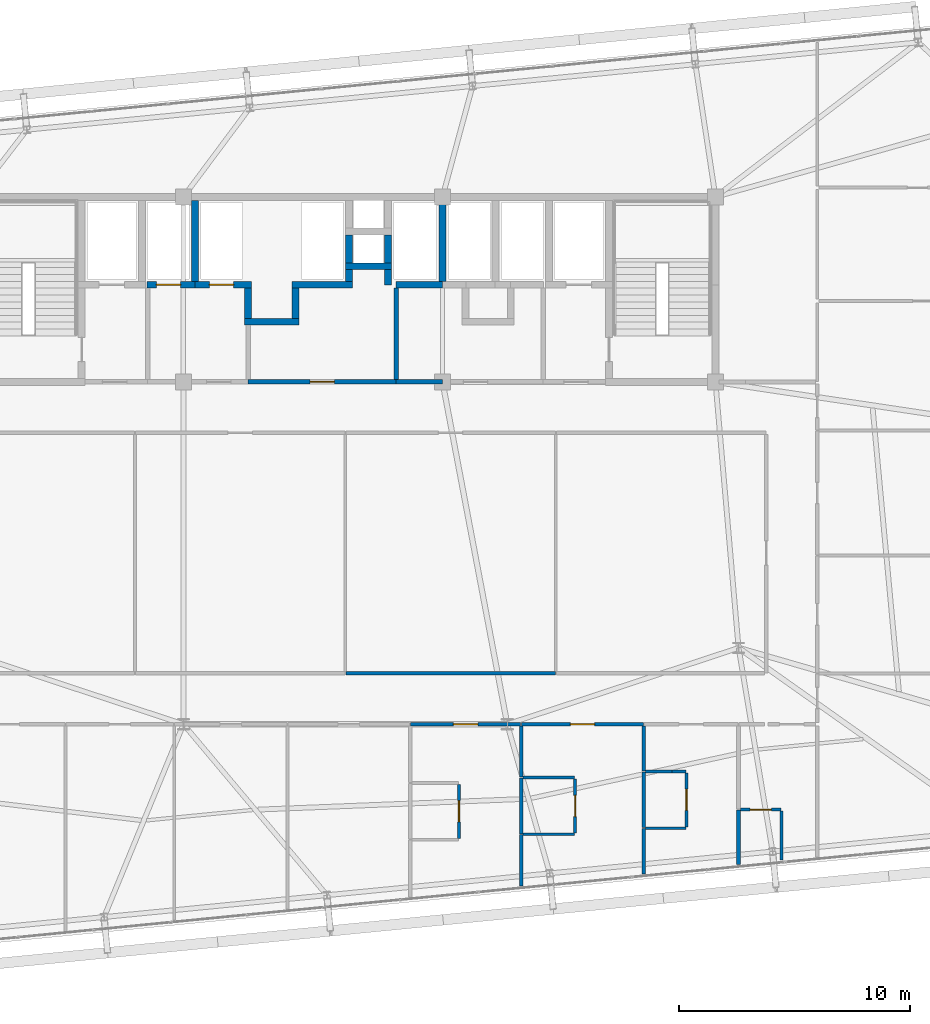
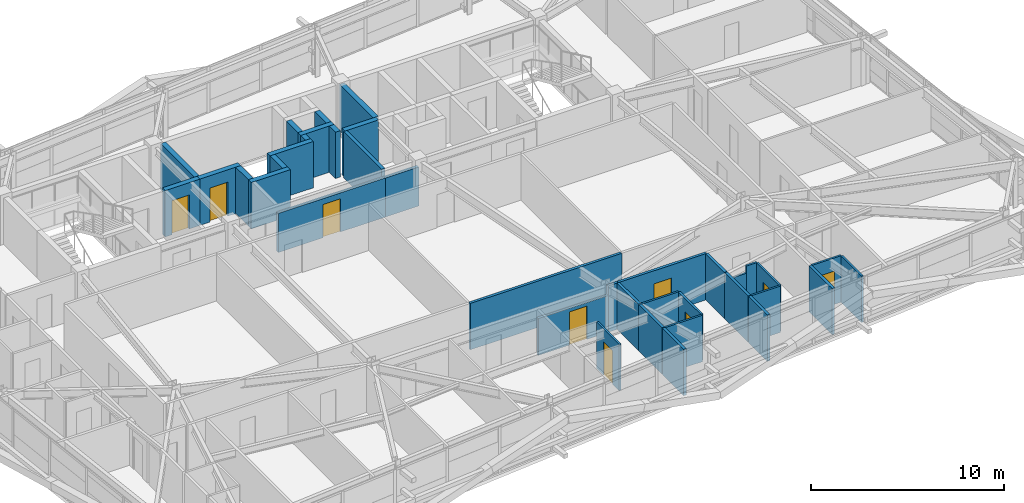
# One storey, part 48 of 53: 38 walls, 9 doors, 9 openings.
"""IFC4 building model written with IfcOpenShell, lengths in metres."""

from ifc_helpers import new_model, si_unit, direction, frame, frame_2d, origin, place, context, subcontext, project, spatial, rectangle, extrude, source, transform, mapped, material, layer, layer_set, type_object, element, fill, save


model = new_model("IFC4")

# Units and contexts
model_context = context("Model", 3, precision=1e-05, world=origin(), true_north=direction((0.0, 1.0)))
body_context = subcontext(model_context, "Body", "Model", "MODEL_VIEW")
ifc_project = project(units=[si_unit("LENGTHUNIT", "METRE"), si_unit("AREAUNIT", "SQUARE_METRE"), si_unit("VOLUMEUNIT", "CUBIC_METRE"), si_unit("PLANEANGLEUNIT", "RADIAN"), si_unit("MASSUNIT", "GRAM", prefix="KILO")], contexts=[model_context])

# Site, building, storey
site_placement = place(None, origin())
site = spatial("IfcSite", under=ifc_project, at=site_placement, CompositionType="ELEMENT")
building_placement = place(site_placement, origin())
building = spatial("IfcBuilding", under=site, at=building_placement, Name="Taldren Reach Tower", CompositionType="ELEMENT")
storey_placement = place(building_placement, frame((0.0, 0.0, 71.39990234375)))
storey = spatial("IfcBuildingStorey", under=building, at=storey_placement, Name="L21", CompositionType="ELEMENT", Elevation=71.39990234375)

# Wall
ifc_material_1 = material(Name="Concrete S50 (50 MPa)", Category="concrete")
ifc_layer_1 = layer(ifc_material_1, 0.199951171875)
ifc_layer_set_1 = layer_set([ifc_layer_1], Name="Concrete S50 (50 MPa)")
wall_type_1 = type_object("IfcWallType", Name="IW-CORE-200", PredefinedType="SOLIDWALL", material=ifc_layer_set_1)
shared_shape_1 = source(origin(), body_context, "Body", "SweptSolid", [
    extrude(rectangle(XDim=2.0, YDim=0.199951171875, at=frame_2d((1.0, 0.0))), origin(), (0.0, 0.0, 1.0), 2.47021484375),
])
wall_1_placement = place(storey_placement, frame((39.199951171875, 24.0, 0.0), z_axis=(0.0, 0.0, 1.0), x_axis=(-1.0, 0.0, 0.0)))
element("IfcWall", 1, at=wall_1_placement, inside=storey, type_object=wall_type_1, Name="Rear Core Shear Wall W-INT-L21-044 part 2", PredefinedType="SOLIDWALL", context=body_context, shape_type="MappedRepresentation", body=[
    mapped(shared_shape_1, transform((0.0, 0.0, 0.0), scale=1.0)),
])

# Wall, opening, door
ifc_material_2 = material(Name="Insulated Residential Stud Partition", Category="gypsum")
ifc_layer_2 = layer(ifc_material_2, 0.1201171875)
ifc_layer_set_2 = layer_set([ifc_layer_2], Name="Insulated Residential Stud Partition")
wall_type_2 = type_object("IfcWallType", Name="IW-PART-120", PredefinedType="PARTITIONING", material=ifc_layer_set_2)
shared_shape_2 = source(origin(), body_context, "Body", "SweptSolid", [
    extrude(rectangle(XDim=2.330078125, YDim=0.1201171875, at=frame_2d((1.1650390625, 0.0))), origin(), (0.0, 0.0, 1.0), 2.93017578125),
])
wall_2_placement = place(storey_placement, frame((39.912109375, 4.26904296875, 0.0), z_axis=(0.0, 0.0, 1.0), x_axis=(0.0, 1.0, 0.0)))
wall_2 = element("IfcWall", 2, at=wall_2_placement, inside=storey, type_object=wall_type_2, Name="Interior Partition Wall W-INT-L21-094", PredefinedType="PARTITIONING", context=body_context, shape_type="MappedRepresentation", body=[
    mapped(shared_shape_2, transform((0.0, 0.0, 0.0), scale=1.0)),
])
shared_shape_3 = source(origin(), body_context, "Body", "SweptSolid", [
    extrude(rectangle(XDim=0.919921875, YDim=2.10009765625, at=frame_2d((0.4599609375, 1.050048828125))), frame((0.0, 0.070068359375, 0.0), z_axis=(0.0, -1.0, 0.0), x_axis=(1.0, 0.0, 0.0)), (0.0, 0.0, 1.0), 0.14013671875),
])
opening_1_placement = place(wall_2_placement, frame((0.705078125, 0.0, 0.0)))
opening_1 = element("IfcOpeningElement", 3, at=opening_1_placement, cuts=wall_2, Name="Opening DI-092", PredefinedType="OPENING", context=body_context, shape_type="MappedRepresentation", body=[
    mapped(shared_shape_3, transform((0.0, 0.0, 0.0), scale=1.0)),
])
ifc_material_3 = material(Name="Solid-Core Timber Suite Door", Category="wood")
door_type_1 = type_object("IfcDoorType", Name="ID-INT-092", OperationType="NOTDEFINED", PredefinedType="DOOR", material=ifc_material_3)
shared_shape_4 = source(origin(), body_context, "Body", "SweptSolid", [
    extrude(rectangle(XDim=0.919921875, YDim=2.10009765625, at=frame_2d((0.4599609375, 1.050048828125))), frame((0.0, 0.02490234375, 0.0), z_axis=(0.0, -1.0, 0.0), x_axis=(1.0, 0.0, 0.0)), (0.0, 0.0, 1.0), 0.050048828125),
])
door_1_placement = place(opening_1_placement, origin())
door_1 = element("IfcDoor", 4, at=door_1_placement, inside=storey, type_object=door_type_1, Name="Interior Door DR-L21-031", OperationType="SINGLE_SWING_RIGHT", OverallHeight=2.10009765625, OverallWidth=0.919921875, PredefinedType="DOOR", context=body_context, shape_type="MappedRepresentation", body=[
    mapped(shared_shape_4, transform((0.0, 0.0, 0.0), scale=1.0)),
])
fill(opening_1, door_1)

wall_3_placement = place(storey_placement, frame((49.75, 4.768310546875, 0.0), z_axis=(0.0, 0.0, 1.0), x_axis=(0.0, 1.0, 0.0)))
wall_3 = element("IfcWall", 5, at=wall_3_placement, inside=storey, type_object=wall_type_2, Name="Interior Partition Wall W-INT-L21-106", PredefinedType="PARTITIONING", context=body_context, shape_type="MappedRepresentation", body=[
    mapped(shared_shape_2, transform((0.0, 0.0, 0.0), scale=1.0)),
])
opening_2_placement = place(wall_3_placement, frame((0.705078125, 0.0, 0.0)))
opening_2 = element("IfcOpeningElement", 6, at=opening_2_placement, cuts=wall_3, Name="Opening DI-092", PredefinedType="OPENING", context=body_context, shape_type="MappedRepresentation", body=[
    mapped(shared_shape_3, transform((0.0, 0.0, 0.0), scale=1.0)),
])
door_2_placement = place(opening_2_placement, origin())
door_2 = element("IfcDoor", 7, at=door_2_placement, inside=storey, type_object=door_type_1, Name="Interior Door DR-L21-033", OperationType="SINGLE_SWING_RIGHT", OverallHeight=2.10009765625, OverallWidth=0.919921875, PredefinedType="DOOR", context=body_context, shape_type="MappedRepresentation", body=[
    mapped(shared_shape_4, transform((0.0, 0.0, 0.0), scale=1.0)),
])
fill(opening_2, door_2)

# Wall
shared_shape_5 = source(origin(), body_context, "Body", "SweptSolid", [
    extrude(rectangle(XDim=1.749755859375, YDim=0.1201171875, at=frame_2d((0.875, 0.0))), origin(), (0.0, 0.0, 1.0), 2.93017578125),
])
wall_4_placement = place(storey_placement, frame((47.97998046875, 4.708251953125, 0.0), z_axis=(0.0, 0.0, 1.0), x_axis=(1.0, 0.0, 0.0)))
element("IfcWall", 8, at=wall_4_placement, inside=storey, type_object=wall_type_2, Name="Interior Partition Wall W-INT-L21-107", PredefinedType="PARTITIONING", context=body_context, shape_type="MappedRepresentation", body=[
    mapped(shared_shape_5, transform((0.0, 0.0, 0.0), scale=1.0)),
])

# Wall, opening, door
wall_5_placement = place(storey_placement, frame((53.829833984375, 5.51025390625, 0.0), z_axis=(0.0, 0.0, 1.0), x_axis=(-1.0, 0.0, 0.0)))
wall_5 = element("IfcWall", 9, at=wall_5_placement, inside=storey, type_object=wall_type_2, Name="Interior Partition Wall W-INT-L21-112", PredefinedType="PARTITIONING", context=body_context, shape_type="MappedRepresentation", body=[
    mapped(shared_shape_5, transform((0.0, 0.0, 0.0), scale=1.0)),
])
opening_3_placement = place(wall_5_placement, frame((0.414794921875, 0.0, 0.0)))
opening_3 = element("IfcOpeningElement", 10, at=opening_3_placement, cuts=wall_5, Name="Opening DI-092", PredefinedType="OPENING", context=body_context, shape_type="MappedRepresentation", body=[
    mapped(shared_shape_3, transform((0.0, 0.0, 0.0), scale=1.0)),
])
door_3_placement = place(opening_3_placement, origin())
door_3 = element("IfcDoor", 11, at=door_3_placement, inside=storey, type_object=door_type_1, Name="Interior Door DR-L21-034", OperationType="SINGLE_SWING_LEFT", OverallHeight=2.10009765625, OverallWidth=0.919921875, PredefinedType="DOOR", context=body_context, shape_type="MappedRepresentation", body=[
    mapped(shared_shape_4, transform((0.0, 0.0, 0.0), scale=1.0)),
])
fill(opening_3, door_3)

# Walls
ifc_material_4 = material(Name="Fire-Rated Acoustic Plasterboard Stud Wall", Category="gypsum")
ifc_layer_3 = layer(ifc_material_4, 0.159912109375)
ifc_layer_set_3 = layer_set([ifc_layer_3], Name="Fire-Rated Acoustic Plasterboard Stud Wall")
wall_type_3 = type_object("IfcWallType", Name="IW-FIRE-160", PredefinedType="PARTITIONING", material=ifc_layer_set_3)
shared_shape_6 = source(origin(), body_context, "Body", "SweptSolid", [
    extrude(rectangle(XDim=2.40966796875, YDim=0.159912109375, at=frame_2d((1.204833984375, 0.0))), origin(), (0.0, 0.0, 1.0), 2.93017578125),
])
wall_6_placement = place(storey_placement, frame((47.89990234375, 7.13818359375, 0.0), z_axis=(0.0, 0.0, 1.0), x_axis=(0.0, -1.0, 0.0)))
element("IfcWall", 12, at=wall_6_placement, inside=storey, type_object=wall_type_3, Name="Interior Partition Wall W-INT-L21-105", PredefinedType="PARTITIONING", context=body_context, shape_type="MappedRepresentation", body=[
    mapped(shared_shape_6, transform((0.0, 0.0, 0.0), scale=1.0)),
])
ifc_material_5 = material(Name="Concrete S65 (65 MPa)", Category="concrete")
ifc_layer_4 = layer(ifc_material_5, 0.300048828125)
ifc_layer_set_4 = layer_set([ifc_layer_4], Name="Concrete S65 (65 MPa)")
wall_type_4 = type_object("IfcWallType", Name="IW-CORE-300", PredefinedType="SHEAR", material=ifc_layer_set_4)
shared_shape_7 = source(origin(), body_context, "Body", "SweptSolid", [
    extrude(rectangle(XDim=3.5, YDim=0.300048828125, at=frame_2d((1.75, 0.0))), origin(), (0.0, 0.0, 1.0), 2.93017578125),
])
for number, where, z_axis, x_axis, name in (
    (13, (28.5, 28.35009765625, 0.0), (0.0, 0.0, 1.0), (0.0, 1.0, 0.0), "Rear Core Shear Wall W-INT-L21-029"),
    (14, (39.199951171875, 28.35009765625, 0.0), (0.0, 0.0, 1.0), (0.0, 1.0, 0.0), "Rear Core Shear Wall W-INT-L21-036"),
):
    element("IfcWall", number, at=place(storey_placement, frame(where, z_axis=z_axis, x_axis=x_axis)), inside=storey, type_object=wall_type_4, Name=name, PredefinedType="SHEAR", context=body_context, shape_type="MappedRepresentation", body=[
        mapped(shared_shape_7, transform((0.0, 0.0, 0.0), scale=1.0)),
    ])
shared_shape_8 = source(origin(), body_context, "Body", "SweptSolid", [
    extrude(rectangle(XDim=3.949951171875, YDim=0.199951171875, at=frame_2d((1.97509765625, 0.0))), origin(), (0.0, 0.0, 1.0), 2.93017578125),
])
wall_7_placement = place(storey_placement, frame((37.199951171875, 28.050048828125, 0.0), z_axis=(0.0, 0.0, 1.0), x_axis=(0.0, -1.0, 0.0)))
element("IfcWall", 15, at=wall_7_placement, inside=storey, type_object=wall_type_1, Name="Rear Core Shear Wall W-INT-L21-042", PredefinedType="SOLIDWALL", context=body_context, shape_type="MappedRepresentation", body=[
    mapped(shared_shape_8, transform((0.0, 0.0, 0.0), scale=1.0)),
])
shared_shape_9 = source(origin(), body_context, "Body", "SweptSolid", [
    extrude(rectangle(XDim=2.0, YDim=0.300048828125, at=frame_2d((1.0, 0.0))), origin(), (0.0, 0.0, 1.0), 2.93017578125),
])
wall_8_placement = place(storey_placement, frame((35.0, 29.0, 0.0), z_axis=(0.0, 0.0, 1.0), x_axis=(1.0, 0.0, 0.0)))
element("IfcWall", 16, at=wall_8_placement, inside=storey, type_object=wall_type_4, Name="Rear Core Shear Wall W-INT-L21-020", PredefinedType="SHEAR", context=body_context, shape_type="MappedRepresentation", body=[
    mapped(shared_shape_9, transform((0.0, 0.0, 0.0), scale=1.0)),
])
shared_shape_10 = source(origin(), body_context, "Body", "SweptSolid", [
    extrude(rectangle(XDim=1.2001953125, YDim=0.300048828125, at=frame_2d((0.60009765625, 0.0))), origin(), (0.0, 0.0, 1.0), 2.93017578125),
])
for number, where, z_axis, x_axis, name in (
    (17, (35.14990234375, 30.35009765625, 0.0), (0.0, 0.0, 1.0), (0.0, -1.0, 0.0), "Rear Core Shear Wall W-INT-L21-018"),
    (18, (36.85009765625, 29.14990234375, 0.0), (0.0, 0.0, 1.0), (0.0, 1.0, 0.0), "Rear Core Shear Wall W-INT-L21-019"),
):
    element("IfcWall", number, at=place(storey_placement, frame(where, z_axis=z_axis, x_axis=x_axis)), inside=storey, type_object=wall_type_4, Name=name, PredefinedType="SHEAR", context=body_context, shape_type="MappedRepresentation", body=[
        mapped(shared_shape_10, transform((0.0, 0.0, 0.0), scale=1.0)),
    ])
shared_shape_11 = source(origin(), body_context, "Body", "SweptSolid", [
    extrude(rectangle(XDim=1.300048828125, YDim=0.300048828125, at=frame_2d((0.64990234375, 0.0))), origin(), (0.0, 0.0, 1.0), 2.93017578125),
])
for number, where, z_axis, x_axis, name in (
    (19, (30.800048828125, 28.050048828125, 0.0), (0.0, 0.0, 1.0), (0.0, -1.0, 0.0), "Rear Core Shear Wall W-INT-L21-021"),
    (20, (32.85009765625, 26.75, 0.0), (0.0, 0.0, 1.0), (0.0, 1.0, 0.0), "Rear Core Shear Wall W-INT-L21-023"),
):
    element("IfcWall", number, at=place(storey_placement, frame(where, z_axis=z_axis, x_axis=x_axis)), inside=storey, type_object=wall_type_4, Name=name, PredefinedType="SHEAR", context=body_context, shape_type="MappedRepresentation", body=[
        mapped(shared_shape_11, transform((0.0, 0.0, 0.0), scale=1.0)),
    ])
shared_shape_12 = source(origin(), body_context, "Body", "SweptSolid", [
    extrude(rectangle(XDim=2.35009765625, YDim=0.300048828125, at=frame_2d((1.175048828125, 0.0))), origin(), (0.0, 0.0, 1.0), 2.93017578125),
])
wall_9_placement = place(storey_placement, frame((30.64990234375, 26.60009765625, 0.0), z_axis=(0.0, 0.0, 1.0), x_axis=(1.0, 0.0, 0.0)))
element("IfcWall", 21, at=wall_9_placement, inside=storey, type_object=wall_type_4, Name="Rear Core Shear Wall W-INT-L21-022", PredefinedType="SHEAR", context=body_context, shape_type="MappedRepresentation", body=[
    mapped(shared_shape_12, transform((0.0, 0.0, 0.0), scale=1.0)),
])

# Wall, opening, door
shared_shape_13 = source(origin(), body_context, "Body", "SweptSolid", [
    extrude(rectangle(XDim=2.070068359375, YDim=0.300048828125, at=frame_2d((1.03515625, 0.0))), origin(), (0.0, 0.0, 1.0), 2.93017578125),
])
wall_10_placement = place(storey_placement, frame((26.429931640625, 28.199951171875, 0.0), z_axis=(0.0, 0.0, 1.0), x_axis=(1.0, 0.0, 0.0)))
wall_10 = element("IfcWall", 22, at=wall_10_placement, inside=storey, type_object=wall_type_4, Name="Rear Core Shear Wall W-INT-L21-030", PredefinedType="SHEAR", context=body_context, shape_type="MappedRepresentation", body=[
    mapped(shared_shape_13, transform((0.0, 0.0, 0.0), scale=1.0)),
])
shared_shape_14 = source(origin(), body_context, "Body", "SweptSolid", [
    extrude(rectangle(XDim=1.050048828125, YDim=2.14990234375, at=frame_2d((0.52490234375, 1.074951171875))), frame((0.0, 0.16015625, 0.0), z_axis=(0.0, -1.0, 0.0), x_axis=(1.0, 0.0, 0.0)), (0.0, 0.0, 1.0), 0.320068359375),
])
opening_4_placement = place(wall_10_placement, frame((0.39501953125, 0.0, 0.0)))
opening_4 = element("IfcOpeningElement", 23, at=opening_4_placement, cuts=wall_10, Name="Opening LD-PL1", PredefinedType="OPENING", context=body_context, shape_type="MappedRepresentation", body=[
    mapped(shared_shape_14, transform((0.0, 0.0, 0.0), scale=1.0)),
])
ifc_material_6 = material(Name="Stainless Steel Gr 316 Passenger Lift Landing Door", Category="steel")
door_type_2 = type_object("IfcDoorType", Name="LD-PAS-105", OperationType="SLIDING_TO_LEFT", PredefinedType="DOOR", material=ifc_material_6)
shared_shape_15 = source(origin(), body_context, "Body", "SweptSolid", [
    extrude(rectangle(XDim=1.050048828125, YDim=2.14990234375, at=frame_2d((0.52490234375, 1.074951171875))), frame((0.0, 0.02490234375, 0.0), z_axis=(0.0, -1.0, 0.0), x_axis=(1.0, 0.0, 0.0)), (0.0, 0.0, 1.0), 0.050048828125),
])
door_4_placement = place(opening_4_placement, origin())
door_4 = element("IfcDoor", 24, at=door_4_placement, inside=storey, type_object=door_type_2, Name="Lift Landing Door LD-PL1-L21", OperationType="SLIDING_TO_LEFT", OverallHeight=2.14990234375, OverallWidth=1.050048828125, PredefinedType="DOOR", context=body_context, shape_type="MappedRepresentation", body=[
    mapped(shared_shape_15, transform((0.0, 0.0, 0.0), scale=1.0)),
])
fill(opening_4, door_4)

shared_shape_16 = source(origin(), body_context, "Body", "SweptSolid", [
    extrude(rectangle(XDim=2.449951171875, YDim=0.300048828125, at=frame_2d((1.22509765625, 0.0))), origin(), (0.0, 0.0, 1.0), 2.93017578125),
])
wall_11_placement = place(storey_placement, frame((28.5, 28.199951171875, 0.0), z_axis=(0.0, 0.0, 1.0), x_axis=(1.0, 0.0, 0.0)))
wall_11 = element("IfcWall", 25, at=wall_11_placement, inside=storey, type_object=wall_type_4, Name="Rear Core Shear Wall W-INT-L21-031", PredefinedType="SHEAR", context=body_context, shape_type="MappedRepresentation", body=[
    mapped(shared_shape_16, transform((0.0, 0.0, 0.0), scale=1.0)),
])
opening_5_placement = place(wall_11_placement, frame((0.625, 0.0, 0.0)))
opening_5 = element("IfcOpeningElement", 26, at=opening_5_placement, cuts=wall_11, Name="Opening LD-PL2", PredefinedType="OPENING", context=body_context, shape_type="MappedRepresentation", body=[
    mapped(shared_shape_14, transform((0.0, 0.0, 0.0), scale=1.0)),
])
door_5_placement = place(opening_5_placement, origin())
door_5 = element("IfcDoor", 27, at=door_5_placement, inside=storey, type_object=door_type_2, Name="Lift Landing Door LD-PL2-L21", OperationType="SLIDING_TO_LEFT", OverallHeight=2.14990234375, OverallWidth=1.050048828125, PredefinedType="DOOR", context=body_context, shape_type="MappedRepresentation", body=[
    mapped(shared_shape_15, transform((0.0, 0.0, 0.0), scale=1.0)),
])
fill(opening_5, door_5)

# Walls
shared_shape_17 = source(origin(), body_context, "Body", "SweptSolid", [
    extrude(rectangle(XDim=2.60009765625, YDim=0.300048828125, at=frame_2d((1.300048828125, 0.0))), origin(), (0.0, 0.0, 1.0), 2.93017578125),
])
wall_12_placement = place(storey_placement, frame((32.699951171875, 28.199951171875, 0.0), z_axis=(0.0, 0.0, 1.0), x_axis=(1.0, 0.0, 0.0)))
element("IfcWall", 28, at=wall_12_placement, inside=storey, type_object=wall_type_4, Name="Rear Core Shear Wall W-INT-L21-034", PredefinedType="SHEAR", context=body_context, shape_type="MappedRepresentation", body=[
    mapped(shared_shape_17, transform((0.0, 0.0, 0.0), scale=1.0)),
])
shared_shape_18 = source(origin(), body_context, "Body", "SweptSolid", [
    extrude(rectangle(XDim=0.5, YDim=0.300048828125, at=frame_2d((0.25, 0.0))), origin(), (0.0, 0.0, 1.0), 2.93017578125),
])
wall_13_placement = place(storey_placement, frame((35.14990234375, 28.35009765625, 0.0), z_axis=(0.0, 0.0, 1.0), x_axis=(0.0, 1.0, 0.0)))
element("IfcWall", 29, at=wall_13_placement, inside=storey, type_object=wall_type_4, Name="Rear Core Shear Wall W-INT-L21-035", PredefinedType="SHEAR", context=body_context, shape_type="MappedRepresentation", body=[
    mapped(shared_shape_18, transform((0.0, 0.0, 0.0), scale=1.0)),
])
shared_shape_19 = source(origin(), body_context, "Body", "SweptSolid", [
    extrude(rectangle(XDim=0.650146484375, YDim=0.300048828125, at=frame_2d((0.3251953125, 0.0))), origin(), (0.0, 0.0, 1.0), 2.93017578125),
])
wall_14_placement = place(storey_placement, frame((36.85009765625, 28.85009765625, 0.0), z_axis=(0.0, 0.0, 1.0), x_axis=(0.0, -1.0, 0.0)))
element("IfcWall", 30, at=wall_14_placement, inside=storey, type_object=wall_type_4, Name="Rear Core Shear Wall W-INT-L21-037", PredefinedType="SHEAR", context=body_context, shape_type="MappedRepresentation", body=[
    mapped(shared_shape_19, transform((0.0, 0.0, 0.0), scale=1.0)),
])
shared_shape_20 = source(origin(), body_context, "Body", "SweptSolid", [
    extrude(rectangle(XDim=2.02001953125, YDim=0.300048828125, at=frame_2d((1.010009765625, 0.0))), origin(), (0.0, 0.0, 1.0), 2.93017578125),
])
wall_15_placement = place(storey_placement, frame((37.179931640625, 28.199951171875, 0.0), z_axis=(0.0, 0.0, 1.0), x_axis=(1.0, 0.0, 0.0)))
element("IfcWall", 31, at=wall_15_placement, inside=storey, type_object=wall_type_4, Name="Rear Core Shear Wall W-INT-L21-038", PredefinedType="SHEAR", context=body_context, shape_type="MappedRepresentation", body=[
    mapped(shared_shape_20, transform((0.0, 0.0, 0.0), scale=1.0)),
])

# Wall, opening, door
shared_shape_21 = source(origin(), body_context, "Body", "SweptSolid", [
    extrude(rectangle(XDim=6.39990234375, YDim=0.199951171875, at=frame_2d((3.199951171875, 0.0))), origin(), (0.0, 0.0, 1.0), 2.47021484375),
])
wall_16_placement = place(storey_placement, frame((37.199951171875, 24.0, 0.0), z_axis=(0.0, 0.0, 1.0), x_axis=(-1.0, 0.0, 0.0)))
wall_16 = element("IfcWall", 32, at=wall_16_placement, inside=storey, type_object=wall_type_1, Name="Rear Core Shear Wall W-INT-L21-043", PredefinedType="SOLIDWALL", context=body_context, shape_type="MappedRepresentation", body=[
    mapped(shared_shape_21, transform((0.0, 0.0, 0.0), scale=1.0)),
])
shared_shape_22 = source(origin(), body_context, "Body", "SweptSolid", [
    extrude(rectangle(XDim=1.050048828125, YDim=2.10009765625, at=frame_2d((0.52490234375, 1.050048828125))), frame((0.0, 0.10986328125, 0.0), z_axis=(0.0, -1.0, 0.0), x_axis=(1.0, 0.0, 0.0)), (0.0, 0.0, 1.0), 0.219970703125),
])
opening_6_placement = place(wall_16_placement, frame((2.675048828125, 0.0, 0.0)))
opening_6 = element("IfcOpeningElement", 33, at=opening_6_placement, cuts=wall_16, Name="Opening DF-105", PredefinedType="OPENING", context=body_context, shape_type="MappedRepresentation", body=[
    mapped(shared_shape_22, transform((0.0, 0.0, 0.0), scale=1.0)),
])
ifc_material_7 = material(Name="Fire-Rated Care and Stair Exit Door")
door_type_3 = type_object("IfcDoorType", Name="ID-FIRE-105", OperationType="NOTDEFINED", PredefinedType="DOOR", material=ifc_material_7)
shared_shape_23 = source(origin(), body_context, "Body", "SweptSolid", [
    extrude(rectangle(XDim=1.050048828125, YDim=2.10009765625, at=frame_2d((0.52490234375, 1.050048828125))), frame((0.0, 0.02490234375, 0.0), z_axis=(0.0, -1.0, 0.0), x_axis=(1.0, 0.0, 0.0)), (0.0, 0.0, 1.0), 0.050048828125),
])
door_6_placement = place(opening_6_placement, frame((1.050048828125, 0.0, 0.0), z_axis=(0.0, 0.0, 1.0), x_axis=(-1.0, 0.0, 0.0)))
door_6 = element("IfcDoor", 34, at=door_6_placement, inside=storey, type_object=door_type_3, Name="Interior Door DR-L21-006", OperationType="SINGLE_SWING_RIGHT", OverallHeight=2.10009765625, OverallWidth=1.050048828125, PredefinedType="DOOR", context=body_context, shape_type="MappedRepresentation", body=[
    mapped(shared_shape_23, transform((0.0, 0.0, 0.0), scale=1.0)),
])
fill(opening_6, door_6)

# Walls
shared_shape_24 = source(origin(), body_context, "Body", "SweptSolid", [
    extrude(rectangle(XDim=9.0595703125, YDim=0.159912109375, at=frame_2d((4.52978515625, 0.0))), origin(), (0.0, 0.0, 1.0), 2.93017578125),
])
wall_17_placement = place(storey_placement, frame((35.020263671875, 11.39990234375, 0.0), z_axis=(0.0, 0.0, 1.0), x_axis=(1.0, 0.0, 0.0)))
element("IfcWall", 35, at=wall_17_placement, inside=storey, type_object=wall_type_3, Name="Interior Partition Wall W-INT-L21-067", PredefinedType="PARTITIONING", context=body_context, shape_type="MappedRepresentation", body=[
    mapped(shared_shape_24, transform((0.0, 0.0, 0.0), scale=1.0)),
])
shared_shape_25 = source(origin(), body_context, "Body", "SweptSolid", [
    extrude(rectangle(XDim=0.57958984375, YDim=0.159912109375, at=frame_2d((0.289794921875, 0.0))), origin(), (0.0, 0.0, 1.0), 2.93017578125),
])
wall_18_placement = place(storey_placement, frame((42.57958984375, 9.199951171875, 0.0), z_axis=(0.0, 0.0, 1.0), x_axis=(-1.0, 0.0, 0.0)))
element("IfcWall", 36, at=wall_18_placement, inside=storey, type_object=wall_type_3, Name="Interior Partition Wall W-INT-L21-074", PredefinedType="PARTITIONING", context=body_context, shape_type="MappedRepresentation", body=[
    mapped(shared_shape_25, transform((0.0, 0.0, 0.0), scale=1.0)),
])

# Wall, opening, door
shared_shape_26 = source(origin(), body_context, "Body", "SweptSolid", [
    extrude(rectangle(XDim=4.1796875, YDim=0.159912109375, at=frame_2d((2.08984375, 0.0))), origin(), (0.0, 0.0, 1.0), 2.328125),
])
wall_19_placement = place(storey_placement, frame((42.0, 9.199951171875, 0.0), z_axis=(0.0, 0.0, 1.0), x_axis=(-1.0, 0.0, 0.0)))
wall_19 = element("IfcWall", 37, at=wall_19_placement, inside=storey, type_object=wall_type_3, Name="Interior Partition Wall W-INT-L21-074 part 2", PredefinedType="PARTITIONING", context=body_context, shape_type="MappedRepresentation", body=[
    mapped(shared_shape_26, transform((0.0, 0.0, 0.0), scale=1.0)),
])
shared_shape_27 = source(origin(), body_context, "Body", "SweptSolid", [
    extrude(rectangle(XDim=1.050048828125, YDim=2.10009765625, at=frame_2d((0.52490234375, 1.050048828125))), frame((0.0, 0.08984375, 0.0), z_axis=(0.0, -1.0, 0.0), x_axis=(1.0, 0.0, 0.0)), (0.0, 0.0, 1.0), 0.179931640625),
])
opening_7_placement = place(wall_19_placement, frame((1.27490234375, 0.0, 0.0)))
opening_7 = element("IfcOpeningElement", 38, at=opening_7_placement, cuts=wall_19, Name="Opening DF-105", PredefinedType="OPENING", context=body_context, shape_type="MappedRepresentation", body=[
    mapped(shared_shape_27, transform((0.0, 0.0, 0.0), scale=1.0)),
])
door_7_placement = place(opening_7_placement, origin())
door_7 = element("IfcDoor", 39, at=door_7_placement, inside=storey, type_object=door_type_3, Name="Interior Door DR-L21-027", OperationType="SINGLE_SWING_RIGHT", OverallHeight=2.10009765625, OverallWidth=1.050048828125, PredefinedType="DOOR", context=body_context, shape_type="MappedRepresentation", body=[
    mapped(shared_shape_23, transform((0.0, 0.0, 0.0), scale=1.0)),
])
fill(opening_7, door_7)

shared_shape_28 = source(origin(), body_context, "Body", "SweptSolid", [
    extrude(rectangle(XDim=5.25927734375, YDim=0.159912109375, at=frame_2d((2.629638671875, 0.0))), origin(), (0.0, 0.0, 1.0), 2.93017578125),
])
wall_20_placement = place(storey_placement, frame((47.879638671875, 9.199951171875, 0.0), z_axis=(0.0, 0.0, 1.0), x_axis=(-1.0, 0.0, 0.0)))
wall_20 = element("IfcWall", 40, at=wall_20_placement, inside=storey, type_object=wall_type_3, Name="Interior Partition Wall W-INT-L21-075", PredefinedType="PARTITIONING", context=body_context, shape_type="MappedRepresentation", body=[
    mapped(shared_shape_28, transform((0.0, 0.0, 0.0), scale=1.0)),
])
opening_8_placement = place(wall_20_placement, frame((2.104736328125, 0.0, 0.0)))
opening_8 = element("IfcOpeningElement", 41, at=opening_8_placement, cuts=wall_20, Name="Opening DF-105", PredefinedType="OPENING", context=body_context, shape_type="MappedRepresentation", body=[
    mapped(shared_shape_27, transform((0.0, 0.0, 0.0), scale=1.0)),
])
door_8_placement = place(opening_8_placement, origin())
door_8 = element("IfcDoor", 42, at=door_8_placement, inside=storey, type_object=door_type_3, Name="Interior Door DR-L21-028", OperationType="SINGLE_SWING_LEFT", OverallHeight=2.10009765625, OverallWidth=1.050048828125, PredefinedType="DOOR", context=body_context, shape_type="MappedRepresentation", body=[
    mapped(shared_shape_23, transform((0.0, 0.0, 0.0), scale=1.0)),
])
fill(opening_8, door_8)

# Walls
shared_shape_29 = source(origin(), body_context, "Body", "SweptSolid", [
    extrude(rectangle(XDim=2.21923828125, YDim=0.159912109375, at=frame_2d((1.109619140625, 0.0))), origin(), (0.0, 0.0, 1.0), 2.93017578125),
])
wall_21_placement = place(storey_placement, frame((42.60009765625, 4.424072265625, 0.0), z_axis=(0.0, 0.0, 1.0), x_axis=(0.0, -1.0, 0.0)))
element("IfcWall", 43, at=wall_21_placement, inside=storey, type_object=wall_type_3, Name="Interior Partition Wall W-INT-L21-097", PredefinedType="PARTITIONING", context=body_context, shape_type="MappedRepresentation", body=[
    mapped(shared_shape_29, transform((0.0, 0.0, 0.0), scale=1.0)),
])
shared_shape_30 = source(origin(), body_context, "Body", "SweptSolid", [
    extrude(rectangle(XDim=2.203369140625, YDim=0.159912109375, at=frame_2d((1.1015625, 0.0))), origin(), (0.0, 0.0, 1.0), 2.93017578125),
])
wall_22_placement = place(storey_placement, frame((42.60009765625, 9.117919921875, 0.0), z_axis=(0.0, 0.0, 1.0), x_axis=(0.0, -1.0, 0.0)))
element("IfcWall", 44, at=wall_22_placement, inside=storey, type_object=wall_type_3, Name="Interior Partition Wall W-INT-L21-098", PredefinedType="PARTITIONING", context=body_context, shape_type="MappedRepresentation", body=[
    mapped(shared_shape_30, transform((0.0, 0.0, 0.0), scale=1.0)),
])
shared_shape_31 = source(origin(), body_context, "Body", "SweptSolid", [
    extrude(rectangle(XDim=2.409423828125, YDim=0.159912109375, at=frame_2d((1.20458984375, 0.0))), origin(), (0.0, 0.0, 1.0), 2.93017578125),
])
wall_23_placement = place(storey_placement, frame((42.60009765625, 6.8740234375, 0.0), z_axis=(0.0, 0.0, 1.0), x_axis=(0.0, -1.0, 0.0)))
element("IfcWall", 45, at=wall_23_placement, inside=storey, type_object=wall_type_3, Name="Interior Partition Wall W-INT-L21-099", PredefinedType="PARTITIONING", context=body_context, shape_type="MappedRepresentation", body=[
    mapped(shared_shape_31, transform((0.0, 0.0, 0.0), scale=1.0)),
])

# Wall, opening, door
shared_shape_32 = source(origin(), body_context, "Body", "SweptSolid", [
    extrude(rectangle(XDim=2.329833984375, YDim=0.1201171875, at=frame_2d((1.1650390625, 0.0))), origin(), (0.0, 0.0, 1.0), 2.93017578125),
])
wall_24_placement = place(storey_placement, frame((44.931884765625, 4.50439453125, 0.0), z_axis=(0.0, 0.0, 1.0), x_axis=(0.0, 1.0, 0.0)))
wall_24 = element("IfcWall", 46, at=wall_24_placement, inside=storey, type_object=wall_type_2, Name="Interior Partition Wall W-INT-L21-100", PredefinedType="PARTITIONING", context=body_context, shape_type="MappedRepresentation", body=[
    mapped(shared_shape_32, transform((0.0, 0.0, 0.0), scale=1.0)),
])
opening_9_placement = place(wall_24_placement, frame((0.705078125, 0.0, 0.0)))
opening_9 = element("IfcOpeningElement", 47, at=opening_9_placement, cuts=wall_24, Name="Opening DI-092", PredefinedType="OPENING", context=body_context, shape_type="MappedRepresentation", body=[
    mapped(shared_shape_3, transform((0.0, 0.0, 0.0), scale=1.0)),
])
door_9_placement = place(opening_9_placement, origin())
door_9 = element("IfcDoor", 48, at=door_9_placement, inside=storey, type_object=door_type_1, Name="Interior Door DR-L21-032", OperationType="SINGLE_SWING_LEFT", OverallHeight=2.10009765625, OverallWidth=0.919921875, PredefinedType="DOOR", context=body_context, shape_type="MappedRepresentation", body=[
    mapped(shared_shape_4, transform((0.0, 0.0, 0.0), scale=1.0)),
])
fill(opening_9, door_9)

# Walls
shared_shape_33 = source(origin(), body_context, "Body", "SweptSolid", [
    extrude(rectangle(XDim=2.23193359375, YDim=0.1201171875, at=frame_2d((1.115966796875, 0.0))), origin(), (0.0, 0.0, 1.0), 2.93017578125),
])
for number, where, z_axis, x_axis, name in (
    (49, (42.679931640625, 4.4443359375, 0.0), (0.0, 0.0, 1.0), (1.0, 0.0, 0.0), "Interior Partition Wall W-INT-L21-101"),
    (50, (44.911865234375, 6.894287109375, 0.0), (0.0, 0.0, 1.0), (-1.0, 0.0, 0.0), "Interior Partition Wall W-INT-L21-102"),
):
    element("IfcWall", number, at=place(storey_placement, frame(where, z_axis=z_axis, x_axis=x_axis)), inside=storey, type_object=wall_type_2, Name=name, PredefinedType="PARTITIONING", context=body_context, shape_type="MappedRepresentation", body=[
        mapped(shared_shape_33, transform((0.0, 0.0, 0.0), scale=1.0)),
    ])
shared_shape_34 = source(origin(), body_context, "Body", "SweptSolid", [
    extrude(rectangle(XDim=1.96337890625, YDim=0.159912109375, at=frame_2d((0.981689453125, 0.0))), origin(), (0.0, 0.0, 1.0), 2.93017578125),
])
wall_25_placement = place(storey_placement, frame((47.89990234375, 4.68798828125, 0.0), z_axis=(0.0, 0.0, 1.0), x_axis=(0.0, -1.0, 0.0)))
element("IfcWall", 51, at=wall_25_placement, inside=storey, type_object=wall_type_3, Name="Interior Partition Wall W-INT-L21-103", PredefinedType="PARTITIONING", context=body_context, shape_type="MappedRepresentation", body=[
    mapped(shared_shape_34, transform((0.0, 0.0, 0.0), scale=1.0)),
])
shared_shape_35 = source(origin(), body_context, "Body", "SweptSolid", [
    extrude(rectangle(XDim=1.939453125, YDim=0.159912109375, at=frame_2d((0.9697265625, 0.0))), origin(), (0.0, 0.0, 1.0), 2.93017578125),
])
wall_26_placement = place(storey_placement, frame((47.89990234375, 9.117919921875, 0.0), z_axis=(0.0, 0.0, 1.0), x_axis=(0.0, -1.0, 0.0)))
element("IfcWall", 52, at=wall_26_placement, inside=storey, type_object=wall_type_3, Name="Interior Partition Wall W-INT-L21-104", PredefinedType="PARTITIONING", context=body_context, shape_type="MappedRepresentation", body=[
    mapped(shared_shape_35, transform((0.0, 0.0, 0.0), scale=1.0)),
])
shared_shape_36 = source(origin(), body_context, "Body", "SweptSolid", [
    extrude(rectangle(XDim=0.6181640625, YDim=0.1201171875, at=frame_2d((0.30908203125, 0.0))), origin(), (0.0, 0.0, 1.0), 2.93017578125),
])
wall_27_placement = place(storey_placement, frame((49.729736328125, 7.158203125, 0.0), z_axis=(0.0, 0.0, 1.0), x_axis=(-1.0, 0.0, 0.0)))
element("IfcWall", 53, at=wall_27_placement, inside=storey, type_object=wall_type_2, Name="Interior Partition Wall W-INT-L21-108", PredefinedType="PARTITIONING", context=body_context, shape_type="MappedRepresentation", body=[
    mapped(shared_shape_36, transform((0.0, 0.0, 0.0), scale=1.0)),
])
shared_shape_37 = source(origin(), body_context, "Body", "SweptSolid", [
    extrude(rectangle(XDim=1.131591796875, YDim=0.1201171875, at=frame_2d((0.56591796875, 0.0))), origin(), (0.0, 0.0, 1.0), 2.47021484375),
])
wall_28_placement = place(storey_placement, frame((49.111572265625, 7.158203125, 0.0), z_axis=(0.0, 0.0, 1.0), x_axis=(-1.0, 0.0, 0.0)))
element("IfcWall", 54, at=wall_28_placement, inside=storey, type_object=wall_type_2, Name="Interior Partition Wall W-INT-L21-108 part 2", PredefinedType="PARTITIONING", context=body_context, shape_type="MappedRepresentation", body=[
    mapped(shared_shape_37, transform((0.0, 0.0, 0.0), scale=1.0)),
])
shared_shape_38 = source(origin(), body_context, "Body", "SweptSolid", [
    extrude(rectangle(XDim=2.363525390625, YDim=0.159912109375, at=frame_2d((1.181640625, 0.0))), origin(), (0.0, 0.0, 1.0), 2.93017578125),
])
wall_29_placement = place(storey_placement, frame((52.0, 5.489990234375, 0.0), z_axis=(0.0, 0.0, 1.0), x_axis=(0.0, -1.0, 0.0)))
element("IfcWall", 55, at=wall_29_placement, inside=storey, type_object=wall_type_3, Name="Interior Partition Wall W-INT-L21-110", PredefinedType="PARTITIONING", context=body_context, shape_type="MappedRepresentation", body=[
    mapped(shared_shape_38, transform((0.0, 0.0, 0.0), scale=1.0)),
])
shared_shape_39 = source(origin(), body_context, "Body", "SweptSolid", [
    extrude(rectangle(XDim=2.12841796875, YDim=0.1201171875, at=frame_2d((1.064208984375, 0.0))), origin(), (0.0, 0.0, 1.0), 2.93017578125),
])
wall_30_placement = place(storey_placement, frame((53.85009765625, 3.32177734375, 0.0), z_axis=(0.0, 0.0, 1.0), x_axis=(0.0, 1.0, 0.0)))
element("IfcWall", 56, at=wall_30_placement, inside=storey, type_object=wall_type_2, Name="Interior Partition Wall W-INT-L21-111", PredefinedType="PARTITIONING", context=body_context, shape_type="MappedRepresentation", body=[
    mapped(shared_shape_39, transform((0.0, 0.0, 0.0), scale=1.0)),
])

save(model, "model.ifc")
